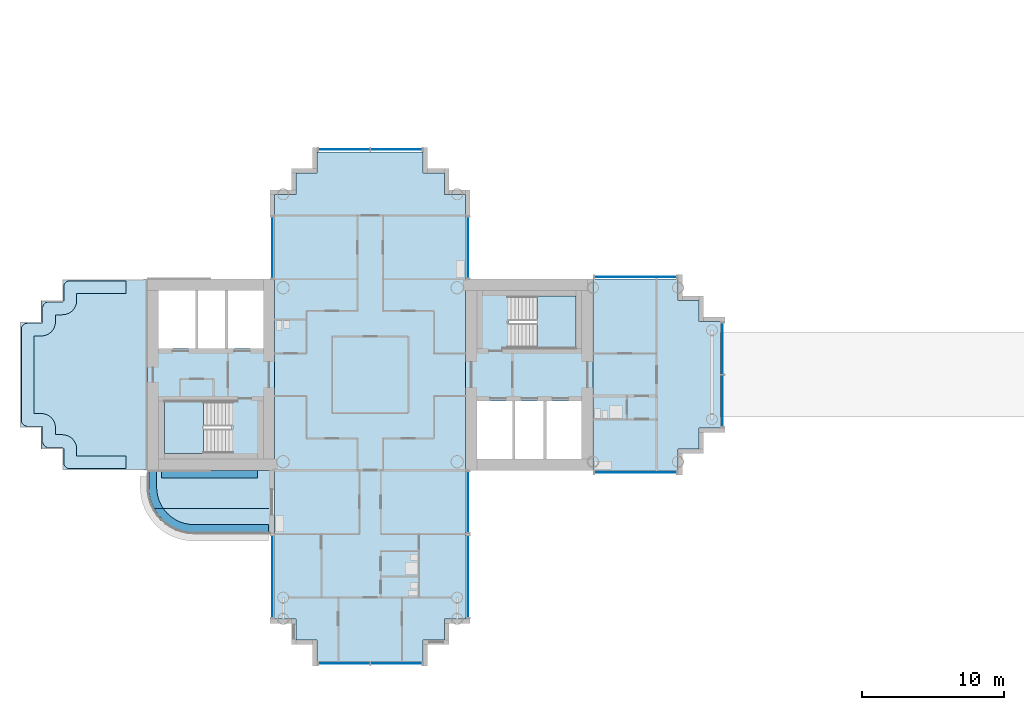
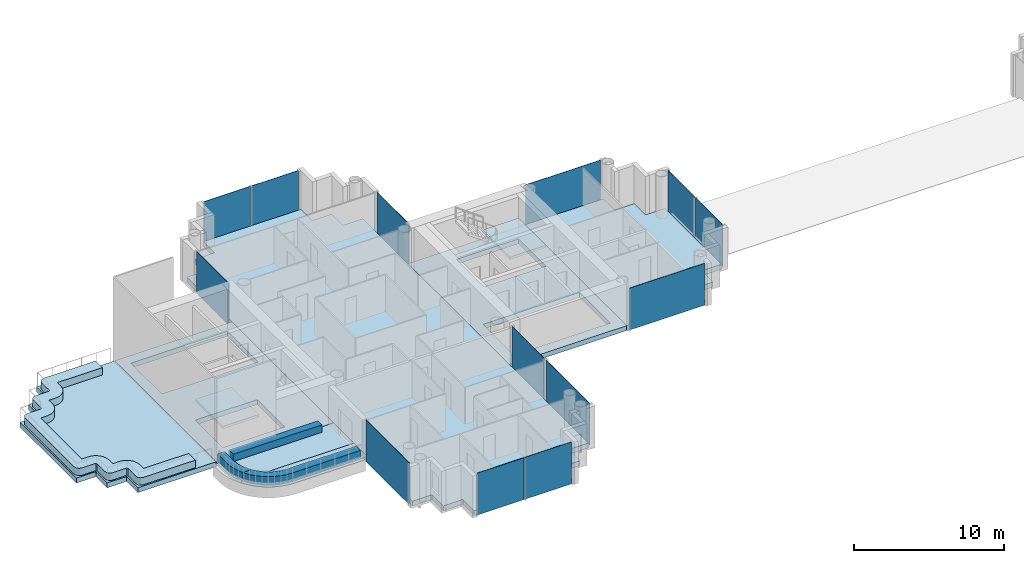
# One storey, part 5 of 19: 13 plates, 13 slabs, 12 elements without a shape of their own.
"""IFC4 building model written with IfcOpenShell, lengths in metres."""

from ifc_helpers import new_model, si_unit, direction, frame, origin, origin_2d, place, context, subcontext, project, spatial, polyline, rectangle, outline, extrude, material, layer, layer_set, type_object, element, aggregate, save


model = new_model("IFC4")

# Units and contexts
model_context = context("Model", 3, precision=1e-05, world=origin(), true_north=direction((0.0, 1.0)))
body_context = subcontext(model_context, "Body", "Model", "MODEL_VIEW")
ifc_project = project(units=[si_unit("LENGTHUNIT", "METRE"), si_unit("AREAUNIT", "SQUARE_METRE"), si_unit("VOLUMEUNIT", "CUBIC_METRE"), si_unit("PLANEANGLEUNIT", "RADIAN"), si_unit("MASSUNIT", "GRAM", prefix="KILO")], contexts=[model_context])

# Site, building, storey
site_placement = place(None, origin())
site = spatial("IfcSite", under=ifc_project, at=site_placement, CompositionType="ELEMENT")
building_placement = place(site_placement, origin())
building = spatial("IfcBuilding", under=site, at=building_placement, Name="Ipe Terrace Towers", CompositionType="ELEMENT")
storey_placement = place(building_placement, frame((0.0, 0.0, 133.699951171875)))
storey = spatial("IfcBuildingStorey", under=building, at=storey_placement, Name="L36", CompositionType="ELEMENT", Elevation=133.699951171875)

# Slabs
ifc_material_1 = material(Name="Concrete C30/37", Category="concrete")
ifc_layer_1 = layer(ifc_material_1, 0.199951171875)
ifc_layer_set_1 = layer_set([ifc_layer_1], Name="BALCONY SLAB 200")
slab_type_1 = type_object("IfcSlabType", Name="BALCONY SLAB 200", PredefinedType="FLOOR", material=ifc_layer_set_1)
slab_1_placement = place(storey_placement, frame((0.0, 0.0, -0.219970703125)))
element("IfcSlab", 1, at=slab_1_placement, inside=storey, type_object=slab_type_1, Name="balcony slab", PredefinedType="FLOOR", context=body_context, shape_type="SweptSolid", body=[
    extrude(outline(polyline([(-51.4990234375, -9.212890625), (-51.382080078125, -9.449951171875), (-42.75, -9.449951171875), (-42.75, -6.75), (-51.75, -6.75), (-51.75, -7.949951171875), (-51.721923828125, -8.381103515625), (-51.637939453125, -8.803955078125), (-51.4990234375, -9.212890625)])), origin(), (0.0, 0.0, 1.0), 0.199951171875),
])
slab_2_placement = place(storey_placement, frame((0.0, 0.0, -0.219970703125)))
element("IfcSlab", 2, at=slab_2_placement, inside=storey, type_object=slab_type_1, Name="balcony slab", PredefinedType="FLOOR", context=body_context, shape_type="SweptSolid", body=[
    extrude(outline(polyline([(-42.75, -11.25), (-42.75, -9.449951171875), (-51.382080078125, -9.449951171875), (-51.30810546875, -9.60009765625), (-51.068115234375, -9.958984375), (-50.782958984375, -10.282958984375), (-50.458984375, -10.568115234375), (-50.10009765625, -10.80810546875), (-49.712890625, -10.9990234375), (-49.303955078125, -11.137939453125), (-48.881103515625, -11.221923828125), (-48.449951171875, -11.25), (-42.75, -11.25)])), origin(), (0.0, 0.0, 1.0), 0.199951171875),
])
ifc_material_2 = material(Name="Concrete C30/37", Category="concrete")
ifc_layer_2 = layer(ifc_material_2, 0.39990234375)
ifc_layer_set_2 = layer_set([ifc_layer_2], Name="CORE FLOOR SLAB 400 C30-37")
slab_type_2 = type_object("IfcSlabType", Name="CORE FLOOR SLAB 400 C30-37", PredefinedType="FLOOR", material=ifc_layer_set_2)
slab_3_placement = place(storey_placement, frame((0.0, 0.0, -0.39990234375)))
element("IfcSlab", 3, at=slab_3_placement, inside=storey, type_object=slab_type_2, Name="Core floor T1-C1", PredefinedType="FLOOR", context=body_context, shape_type="SweptSolid", body=[
    extrude(outline(polyline([(-29.25, -6.75), (-29.25, 6.75), (-20.25, 6.75), (-20.25, -6.75), (-29.25, -6.75)]), holes=[polyline([(-28.449951171875, -5.949951171875), (-21.050048828125, -5.949951171875), (-21.050048828125, -1.85009765625), (-28.449951171875, -1.85009765625), (-28.449951171875, -5.949951171875)]), polyline([(-26.199951171875, 5.550048828125), (-26.199951171875, 1.89990234375), (-21.449951171875, 1.89990234375), (-21.449951171875, 5.550048828125), (-26.199951171875, 5.550048828125)])]), origin(), (0.0, 0.0, 1.0), 0.39990234375),
])
slab_4_placement = place(storey_placement, frame((0.0, 0.0, -0.39990234375)))
element("IfcSlab", 4, at=slab_4_placement, inside=storey, type_object=slab_type_2, Name="Core floor T1-C2", PredefinedType="FLOOR", context=body_context, shape_type="SweptSolid", body=[
    extrude(outline(polyline([(-51.75, -6.75), (-51.75, 6.75), (-42.75, 6.75), (-42.75, -6.75), (-51.75, -6.75)]), holes=[polyline([(-45.800048828125, -5.550048828125), (-45.800048828125, -1.89990234375), (-50.550048828125, -1.89990234375), (-50.550048828125, -5.550048828125), (-45.800048828125, -5.550048828125)]), polyline([(-50.949951171875, 1.85009765625), (-43.550048828125, 1.85009765625), (-43.550048828125, 5.949951171875), (-50.949951171875, 5.949951171875), (-50.949951171875, 1.85009765625)])]), origin(), (0.0, 0.0, 1.0), 0.39990234375),
])

# Stair, slab
ifc_material_3 = material(Name="Concrete C30/37", Category="concrete")
stair_type = type_object("IfcStairType", Name="Protected exit stair", PredefinedType="HALF_TURN_STAIR", material=ifc_material_3)
stair_1_placement = place(storey_placement, origin())
stair_1 = element("IfcStair", 5, at=stair_1_placement, inside=storey, type_object=stair_type, Name="L36 Exit stair T1-C1", PredefinedType="HALF_TURN_STAIR")
ifc_material_4 = material(Name="Concrete C30/37", Category="concrete")
ifc_layer_3 = layer(ifc_material_4, 0.199951171875)
ifc_layer_set_3 = layer_set([ifc_layer_3], Name="Exit stair landing 200")
slab_type_3 = type_object("IfcSlabType", Name="Exit stair landing 200", PredefinedType="LANDING", material=ifc_layer_set_3)
slab_5_placement = place(storey_placement, frame((0.0, 0.0, 1.5)))
slab_5 = element("IfcSlab", 6, at=slab_5_placement, type_object=slab_type_3, Name="T1-ST1 landing 1", PredefinedType="LANDING", context=body_context, shape_type="SweptSolid", body=[
    extrude(outline(polyline([(-24.219970703125, 1.89990234375), (-21.449951171875, 1.89990234375), (-21.449951171875, 5.550048828125), (-24.219970703125, 5.550048828125), (-24.219970703125, 1.89990234375)])), origin(), (0.0, 0.0, 1.0), 0.199951171875),
])
aggregate(stair_1, [slab_5])

stair_2_placement = place(storey_placement, origin())
stair_2 = element("IfcStair", 7, at=stair_2_placement, inside=storey, type_object=stair_type, Name="L36 Exit stair T1-C2", PredefinedType="HALF_TURN_STAIR")
slab_6_placement = place(storey_placement, frame((0.0, 0.0, 1.5)))
slab_6 = element("IfcSlab", 8, at=slab_6_placement, type_object=slab_type_3, Name="T1-ST2 landing 1", PredefinedType="LANDING", context=body_context, shape_type="SweptSolid", body=[
    extrude(outline(polyline([(-47.780029296875, -1.89990234375), (-50.550048828125, -1.89990234375), (-50.550048828125, -5.550048828125), (-47.780029296875, -5.550048828125), (-47.780029296875, -1.89990234375)])), origin(), (0.0, 0.0, 1.0), 0.199951171875),
])
aggregate(stair_2, [slab_6])

# Slabs
ifc_material_5 = material(Name="Concrete C40/50", Category="concrete")
ifc_layer_4 = layer(ifc_material_5, 0.39990234375)
ifc_layer_set_4 = layer_set([ifc_layer_4], Name="FLAT PLATE SLAB 400 C40-50")
slab_type_4 = type_object("IfcSlabType", Name="FLAT PLATE SLAB 400 C40-50", PredefinedType="FLOOR", material=ifc_layer_set_4)
slab_7_placement = place(storey_placement, frame((0.0, 0.0, -0.39990234375)))
element("IfcSlab", 9, at=slab_7_placement, inside=storey, type_object=slab_type_4, Name="Slab T1-FS-Z31", PredefinedType="FLOOR", context=body_context, shape_type="SweptSolid", body=[
    extrude(outline(polyline([(-30.75, -17.25), (-30.75, -18.75), (-32.25, -18.75), (-32.25, -20.25), (-39.75, -20.25), (-39.75, -18.75), (-41.25, -18.75), (-41.25, -17.25), (-42.75, -17.25), (-42.75, -6.75), (-42.75, 6.75), (-42.75, 12.75), (-41.25, 12.75), (-41.25, 14.25), (-39.75, 14.25), (-39.75, 15.75), (-32.25, 15.75), (-32.25, 14.25), (-30.75, 14.25), (-30.75, 12.75), (-29.25, 12.75), (-29.25, 6.75), (-29.25, -6.75), (-29.25, -17.25), (-30.75, -17.25)])), origin(), (0.0, 0.0, 1.0), 0.39990234375),
])
slab_8_placement = place(storey_placement, frame((0.0, 0.0, -0.39990234375)))
element("IfcSlab", 10, at=slab_8_placement, inside=storey, type_object=slab_type_4, Name="Slab T1-FS-Z32", PredefinedType="FLOOR", context=body_context, shape_type="SweptSolid", body=[
    extrude(outline(polyline([(-14.25, 5.25), (-12.75, 5.25), (-12.75, 3.75), (-11.25, 3.75), (-11.25, -3.75), (-12.75, -3.75), (-12.75, -5.25), (-14.25, -5.25), (-14.25, -6.75), (-20.25, -6.75), (-20.25, 6.75), (-14.25, 6.75), (-14.25, 5.25)])), origin(), (0.0, 0.0, 1.0), 0.39990234375),
])
ifc_material_6 = material(Name="Concrete C30/37", Category="concrete")
ifc_layer_5 = layer(ifc_material_6, 0.60009765625)
ifc_layer_set_5 = layer_set([ifc_layer_5], Name="PLANTER TROUGH 550 x 600")
slab_type_5 = type_object("IfcSlabType", Name="PLANTER TROUGH 550 x 600", PredefinedType="USERDEFINED", material=ifc_layer_set_5)
slab_9_placement = place(storey_placement, frame((0.0, 0.0, -0.02001953125)))
element("IfcSlab", 11, at=slab_9_placement, inside=storey, type_object=slab_type_5, Name="planter", ObjectType="PLANTER", PredefinedType="USERDEFINED", context=body_context, shape_type="SweptSolid", body=[
    extrude(outline(polyline([(-50.9990234375, -8.633056640625), (-51.06591796875, -8.2939453125), (-51.090087890625, -7.927978515625), (-51.090087890625, -6.75), (-51.639892578125, -6.75), (-51.639892578125, -7.93701171875), (-51.638916015625, -7.955078125), (-51.614013671875, -8.347900390625), (-51.60888671875, -8.384033203125), (-51.534912109375, -8.758056640625), (-51.52490234375, -8.79296875), (-51.403076171875, -9.154052734375), (-51.388916015625, -9.18701171875), (-51.259033203125, -9.449951171875), (-50.614013671875, -9.449951171875), (-50.735107421875, -9.26904296875), (-50.887939453125, -8.9599609375), (-50.9990234375, -8.633056640625)])), origin(), (0.0, 0.0, 1.0), 0.60009765625),
])
slab_10_placement = place(storey_placement, frame((0.0, 0.0, -0.02001953125)))
element("IfcSlab", 12, at=slab_10_placement, inside=storey, type_object=slab_type_5, Name="planter", ObjectType="PLANTER", PredefinedType="USERDEFINED", context=body_context, shape_type="SweptSolid", body=[
    extrude(outline(polyline([(-50.54296875, -9.555908203125), (-50.614013671875, -9.449951171875), (-51.259033203125, -9.449951171875), (-51.219970703125, -9.529052734375), (-51.201904296875, -9.56005859375), (-50.990966796875, -9.876953125), (-50.968994140625, -9.905029296875), (-50.717041015625, -10.19189453125), (-50.69189453125, -10.217041015625), (-50.405029296875, -10.468994140625), (-50.376953125, -10.490966796875), (-50.06005859375, -10.701904296875), (-50.029052734375, -10.719970703125), (-49.68701171875, -10.888916015625), (-49.654052734375, -10.903076171875), (-49.29296875, -11.02490234375), (-49.258056640625, -11.034912109375), (-48.884033203125, -11.10888671875), (-48.847900390625, -11.114013671875), (-48.455078125, -11.138916015625), (-48.43701171875, -11.139892578125), (-43.199951171875, -11.139892578125), (-43.199951171875, -10.590087890625), (-48.427978515625, -10.590087890625), (-48.7939453125, -10.56591796875), (-49.133056640625, -10.4990234375), (-49.4599609375, -10.387939453125), (-49.76904296875, -10.235107421875), (-50.055908203125, -10.04296875), (-50.31591796875, -9.81591796875), (-50.54296875, -9.555908203125)])), origin(), (0.0, 0.0, 1.0), 0.60009765625),
])
slab_11_placement = place(storey_placement, frame((0.0, 0.0, -0.02001953125)))
element("IfcSlab", 13, at=slab_11_placement, inside=storey, type_object=slab_type_5, Name="planter", ObjectType="PLANTER", PredefinedType="USERDEFINED", context=body_context, shape_type="SweptSolid", body=[
    extrude(outline(polyline([(-43.949951171875, -6.75), (-50.75, -6.75), (-50.75, -7.300048828125), (-43.949951171875, -7.300048828125), (-43.949951171875, -6.75)])), origin(), (0.0, 0.0, 1.0), 0.60009765625),
])
ifc_material_7 = material(Name="Concrete C40/50", Category="concrete")
ifc_layer_6 = layer(ifc_material_7, 0.39990234375)
ifc_layer_set_6 = layer_set([ifc_layer_6], Name="TERRACE DECK SLAB 400 C40-50")
slab_type_6 = type_object("IfcSlabType", Name="TERRACE DECK SLAB 400 C40-50", PredefinedType="FLOOR", material=ifc_layer_set_6)
slab_12_placement = place(storey_placement, frame((0.0, 0.0, -0.419921875)))
element("IfcSlab", 14, at=slab_12_placement, inside=storey, type_object=slab_type_6, Name="Slab T1-TD-L36-1", PredefinedType="FLOOR", context=body_context, shape_type="SweptSolid", body=[
    extrude(outline(polyline([(-60.7451171875, -3.7451171875), (-60.7451171875, 3.7451171875), (-59.2451171875, 3.7451171875), (-59.2451171875, 5.2451171875), (-57.7451171875, 5.2451171875), (-57.7451171875, 6.7451171875), (-51.7548828125, 6.7451171875), (-51.7548828125, -6.7451171875), (-57.7451171875, -6.7451171875), (-57.7451171875, -5.2451171875), (-59.2451171875, -5.2451171875), (-59.2451171875, -3.7451171875), (-60.7451171875, -3.7451171875)])), origin(), (0.0, 0.0, 1.0), 0.39990234375),
])
ifc_material_8 = material(Name="Concrete C30/37", Category="concrete")
ifc_layer_7 = layer(ifc_material_8, 0.60009765625)
ifc_layer_set_7 = layer_set([ifc_layer_7], Name="TERRACE PLANTING BED 900 x 600")
slab_type_7 = type_object("IfcSlabType", Name="TERRACE PLANTING BED 900 x 600", PredefinedType="USERDEFINED", material=ifc_layer_set_7)
slab_13_placement = place(storey_placement, frame((0.0, 0.0, -0.02001953125)))
element("IfcSlab", 15, at=slab_13_placement, inside=storey, type_object=slab_type_7, Name="planter", ObjectType="PLANTER", PredefinedType="USERDEFINED", context=body_context, shape_type="SweptSolid", body=[
    extrude(outline(polyline([(-59.72998046875, -2.739990234375), (-59.739990234375, -2.739990234375), (-59.739990234375, -2.72998046875), (-59.739990234375, 2.72998046875), (-59.739990234375, 2.739990234375), (-59.72998046875, 2.739990234375), (-59.2490234375, 2.739990234375), (-59.22900390625, 2.739990234375), (-59.1708984375, 2.742919921875), (-59.132080078125, 2.7470703125), (-59.072021484375, 2.756103515625), (-59.033935546875, 2.763916015625), (-58.97607421875, 2.778076171875), (-58.93798828125, 2.7900390625), (-58.882080078125, 2.81005859375), (-58.845947265625, 2.824951171875), (-58.791015625, 2.85009765625), (-58.757080078125, 2.868896484375), (-58.705078125, 2.89990234375), (-58.673095703125, 2.9208984375), (-58.625, 2.95703125), (-58.593994140625, 2.98193359375), (-58.550048828125, 3.02197265625), (-58.52197265625, 3.050048828125), (-58.48193359375, 3.093994140625), (-58.45703125, 3.125), (-58.4208984375, 3.173095703125), (-58.39990234375, 3.205078125), (-58.368896484375, 3.257080078125), (-58.35009765625, 3.291015625), (-58.324951171875, 3.345947265625), (-58.31005859375, 3.382080078125), (-58.2900390625, 3.43798828125), (-58.278076171875, 3.47607421875), (-58.263916015625, 3.533935546875), (-58.256103515625, 3.572021484375), (-58.2470703125, 3.632080078125), (-58.242919921875, 3.6708984375), (-58.239990234375, 3.72900390625), (-58.239990234375, 3.7490234375), (-58.239990234375, 4.22998046875), (-58.239990234375, 4.239990234375), (-58.22998046875, 4.239990234375), (-57.7490234375, 4.239990234375), (-57.72900390625, 4.239990234375), (-57.6708984375, 4.242919921875), (-57.632080078125, 4.2470703125), (-57.572021484375, 4.256103515625), (-57.533935546875, 4.263916015625), (-57.47607421875, 4.278076171875), (-57.43798828125, 4.2900390625), (-57.382080078125, 4.31005859375), (-57.345947265625, 4.324951171875), (-57.291015625, 4.35009765625), (-57.257080078125, 4.368896484375), (-57.205078125, 4.39990234375), (-57.173095703125, 4.4208984375), (-57.125, 4.45703125), (-57.093994140625, 4.48193359375), (-57.050048828125, 4.52197265625), (-57.02197265625, 4.550048828125), (-56.98193359375, 4.593994140625), (-56.95703125, 4.625), (-56.9208984375, 4.673095703125), (-56.89990234375, 4.705078125), (-56.868896484375, 4.757080078125), (-56.85009765625, 4.791015625), (-56.824951171875, 4.845947265625), (-56.81005859375, 4.882080078125), (-56.7900390625, 4.93798828125), (-56.778076171875, 4.97607421875), (-56.763916015625, 5.033935546875), (-56.756103515625, 5.072021484375), (-56.7470703125, 5.132080078125), (-56.742919921875, 5.1708984375), (-56.739990234375, 5.22900390625), (-56.739990234375, 5.2490234375), (-56.739990234375, 5.72998046875), (-56.739990234375, 5.739990234375), (-56.72998046875, 5.739990234375), (-53.27001953125, 5.739990234375), (-53.27001953125, 6.639892578125), (-57.239990234375, 6.639892578125), (-57.279052734375, 6.637939453125), (-57.318115234375, 6.632080078125), (-57.35595703125, 6.623046875), (-57.39306640625, 6.610107421875), (-57.428955078125, 6.593017578125), (-57.4619140625, 6.572998046875), (-57.493896484375, 6.549072265625), (-57.52294921875, 6.52294921875), (-57.549072265625, 6.493896484375), (-57.572998046875, 6.4619140625), (-57.593017578125, 6.428955078125), (-57.610107421875, 6.39306640625), (-57.623046875, 6.35595703125), (-57.632080078125, 6.318115234375), (-57.637939453125, 6.279052734375), (-57.639892578125, 6.239990234375), (-57.639892578125, 5.26611328125), (-57.639892578125, 5.256103515625), (-57.64111328125, 5.2490234375), (-57.64208984375, 5.23388671875), (-57.64404296875, 5.222900390625), (-57.64697265625, 5.212890625), (-57.65087890625, 5.202880859375), (-57.656005859375, 5.194091796875), (-57.662109375, 5.18505859375), (-57.6689453125, 5.177001953125), (-57.677001953125, 5.1689453125), (-57.68505859375, 5.162109375), (-57.694091796875, 5.156005859375), (-57.702880859375, 5.15087890625), (-57.712890625, 5.14697265625), (-57.722900390625, 5.14404296875), (-57.73388671875, 5.14208984375), (-57.7490234375, 5.14111328125), (-57.756103515625, 5.139892578125), (-57.76611328125, 5.139892578125), (-58.739990234375, 5.139892578125), (-58.779052734375, 5.137939453125), (-58.818115234375, 5.132080078125), (-58.85595703125, 5.123046875), (-58.89306640625, 5.110107421875), (-58.928955078125, 5.093017578125), (-58.9619140625, 5.072998046875), (-58.993896484375, 5.049072265625), (-59.02294921875, 5.02294921875), (-59.049072265625, 4.993896484375), (-59.072998046875, 4.9619140625), (-59.093017578125, 4.928955078125), (-59.110107421875, 4.89306640625), (-59.123046875, 4.85595703125), (-59.132080078125, 4.818115234375), (-59.137939453125, 4.779052734375), (-59.139892578125, 4.739990234375), (-59.139892578125, 3.76611328125), (-59.139892578125, 3.756103515625), (-59.14111328125, 3.7490234375), (-59.14208984375, 3.73388671875), (-59.14404296875, 3.722900390625), (-59.14697265625, 3.712890625), (-59.15087890625, 3.702880859375), (-59.156005859375, 3.694091796875), (-59.162109375, 3.68505859375), (-59.1689453125, 3.677001953125), (-59.177001953125, 3.6689453125), (-59.18505859375, 3.662109375), (-59.194091796875, 3.656005859375), (-59.202880859375, 3.65087890625), (-59.212890625, 3.64697265625), (-59.222900390625, 3.64404296875), (-59.23388671875, 3.64208984375), (-59.2490234375, 3.64111328125), (-59.256103515625, 3.639892578125), (-59.26611328125, 3.639892578125), (-60.239990234375, 3.639892578125), (-60.279052734375, 3.637939453125), (-60.318115234375, 3.632080078125), (-60.35595703125, 3.623046875), (-60.39306640625, 3.610107421875), (-60.428955078125, 3.593017578125), (-60.4619140625, 3.572998046875), (-60.493896484375, 3.549072265625), (-60.52294921875, 3.52294921875), (-60.549072265625, 3.493896484375), (-60.572998046875, 3.4619140625), (-60.593017578125, 3.428955078125), (-60.610107421875, 3.39306640625), (-60.623046875, 3.35595703125), (-60.632080078125, 3.318115234375), (-60.637939453125, 3.279052734375), (-60.639892578125, 3.239990234375), (-60.639892578125, -3.239990234375), (-60.637939453125, -3.279052734375), (-60.632080078125, -3.318115234375), (-60.623046875, -3.35595703125), (-60.610107421875, -3.39306640625), (-60.593017578125, -3.428955078125), (-60.572998046875, -3.4619140625), (-60.549072265625, -3.493896484375), (-60.52294921875, -3.52294921875), (-60.493896484375, -3.549072265625), (-60.4619140625, -3.572998046875), (-60.428955078125, -3.593017578125), (-60.39306640625, -3.610107421875), (-60.35595703125, -3.623046875), (-60.318115234375, -3.632080078125), (-60.279052734375, -3.637939453125), (-60.239990234375, -3.639892578125), (-59.26611328125, -3.639892578125), (-59.256103515625, -3.639892578125), (-59.2490234375, -3.64111328125), (-59.23388671875, -3.64208984375), (-59.222900390625, -3.64404296875), (-59.212890625, -3.64697265625), (-59.202880859375, -3.65087890625), (-59.194091796875, -3.656005859375), (-59.18505859375, -3.662109375), (-59.177001953125, -3.6689453125), (-59.1689453125, -3.677001953125), (-59.162109375, -3.68505859375), (-59.156005859375, -3.694091796875), (-59.15087890625, -3.702880859375), (-59.14697265625, -3.712890625), (-59.14404296875, -3.722900390625), (-59.14208984375, -3.73388671875), (-59.14111328125, -3.7490234375), (-59.139892578125, -3.756103515625), (-59.139892578125, -3.76611328125), (-59.139892578125, -4.739990234375), (-59.137939453125, -4.779052734375), (-59.132080078125, -4.818115234375), (-59.123046875, -4.85595703125), (-59.110107421875, -4.89306640625), (-59.093017578125, -4.928955078125), (-59.072998046875, -4.9619140625), (-59.049072265625, -4.993896484375), (-59.02294921875, -5.02294921875), (-58.993896484375, -5.049072265625), (-58.9619140625, -5.072998046875), (-58.928955078125, -5.093017578125), (-58.89306640625, -5.110107421875), (-58.85595703125, -5.123046875), (-58.818115234375, -5.132080078125), (-58.779052734375, -5.137939453125), (-58.739990234375, -5.139892578125), (-57.76611328125, -5.139892578125), (-57.756103515625, -5.139892578125), (-57.7490234375, -5.14111328125), (-57.73388671875, -5.14208984375), (-57.722900390625, -5.14404296875), (-57.712890625, -5.14697265625), (-57.702880859375, -5.15087890625), (-57.694091796875, -5.156005859375), (-57.68505859375, -5.162109375), (-57.677001953125, -5.1689453125), (-57.6689453125, -5.177001953125), (-57.662109375, -5.18505859375), (-57.656005859375, -5.194091796875), (-57.65087890625, -5.202880859375), (-57.64697265625, -5.212890625), (-57.64404296875, -5.222900390625), (-57.64208984375, -5.23388671875), (-57.64111328125, -5.2490234375), (-57.639892578125, -5.256103515625), (-57.639892578125, -5.26611328125), (-57.639892578125, -6.239990234375), (-57.637939453125, -6.279052734375), (-57.632080078125, -6.318115234375), (-57.623046875, -6.35595703125), (-57.610107421875, -6.39306640625), (-57.593017578125, -6.428955078125), (-57.572998046875, -6.4619140625), (-57.549072265625, -6.493896484375), (-57.52294921875, -6.52294921875), (-57.493896484375, -6.549072265625), (-57.4619140625, -6.572998046875), (-57.428955078125, -6.593017578125), (-57.39306640625, -6.610107421875), (-57.35595703125, -6.623046875), (-57.318115234375, -6.632080078125), (-57.279052734375, -6.637939453125), (-57.239990234375, -6.639892578125), (-53.27001953125, -6.639892578125), (-53.27001953125, -5.739990234375), (-56.72998046875, -5.739990234375), (-56.739990234375, -5.739990234375), (-56.739990234375, -5.72998046875), (-56.739990234375, -5.2490234375), (-56.739990234375, -5.22900390625), (-56.742919921875, -5.1708984375), (-56.7470703125, -5.132080078125), (-56.756103515625, -5.072021484375), (-56.763916015625, -5.033935546875), (-56.778076171875, -4.97607421875), (-56.7900390625, -4.93798828125), (-56.81005859375, -4.882080078125), (-56.824951171875, -4.845947265625), (-56.85009765625, -4.791015625), (-56.868896484375, -4.757080078125), (-56.89990234375, -4.705078125), (-56.9208984375, -4.673095703125), (-56.95703125, -4.625), (-56.98193359375, -4.593994140625), (-57.02197265625, -4.550048828125), (-57.050048828125, -4.52197265625), (-57.093994140625, -4.48193359375), (-57.125, -4.45703125), (-57.173095703125, -4.4208984375), (-57.205078125, -4.39990234375), (-57.257080078125, -4.368896484375), (-57.291015625, -4.35009765625), (-57.345947265625, -4.324951171875), (-57.382080078125, -4.31005859375), (-57.43798828125, -4.2900390625), (-57.47607421875, -4.278076171875), (-57.533935546875, -4.263916015625), (-57.572021484375, -4.256103515625), (-57.632080078125, -4.2470703125), (-57.6708984375, -4.242919921875), (-57.72900390625, -4.239990234375), (-57.7490234375, -4.239990234375), (-58.22998046875, -4.239990234375), (-58.239990234375, -4.239990234375), (-58.239990234375, -4.22998046875), (-58.239990234375, -3.7490234375), (-58.239990234375, -3.72900390625), (-58.242919921875, -3.6708984375), (-58.2470703125, -3.632080078125), (-58.256103515625, -3.572021484375), (-58.263916015625, -3.533935546875), (-58.278076171875, -3.47607421875), (-58.2900390625, -3.43798828125), (-58.31005859375, -3.382080078125), (-58.324951171875, -3.345947265625), (-58.35009765625, -3.291015625), (-58.368896484375, -3.257080078125), (-58.39990234375, -3.205078125), (-58.4208984375, -3.173095703125), (-58.45703125, -3.125), (-58.48193359375, -3.093994140625), (-58.52197265625, -3.050048828125), (-58.550048828125, -3.02197265625), (-58.593994140625, -2.98193359375), (-58.625, -2.95703125), (-58.673095703125, -2.9208984375), (-58.705078125, -2.89990234375), (-58.757080078125, -2.868896484375), (-58.791015625, -2.85009765625), (-58.845947265625, -2.824951171875), (-58.882080078125, -2.81005859375), (-58.93798828125, -2.7900390625), (-58.97607421875, -2.778076171875), (-59.033935546875, -2.763916015625), (-59.072021484375, -2.756103515625), (-59.132080078125, -2.7470703125), (-59.1708984375, -2.742919921875), (-59.22900390625, -2.739990234375), (-59.2490234375, -2.739990234375), (-59.72998046875, -2.739990234375)])), origin(), (0.0, 0.0, 1.0), 0.60009765625),
])

# Curtain wall, plate
ifc_material_9 = material(Name="Aluminium alloy 6063-T6", Category="aluminium")
ifc_layer_8 = layer(ifc_material_9, 0.320068359375)
ifc_layer_set_8 = layer_set([ifc_layer_8], Name="TOWER UNITISED CURTAIN WALL")
curtain_wall_type = type_object("IfcCurtainWallType", Name="TOWER UNITISED CURTAIN WALL", PredefinedType="NOTDEFINED", material=ifc_layer_set_8)
curtain_wall_1_placement = place(storey_placement, origin())
curtain_wall_1 = element("IfcCurtainWall", 16, at=curtain_wall_1_placement, inside=storey, type_object=curtain_wall_type, Name="T1-CW-L36-03a curtain wall", PredefinedType="NOTDEFINED")
ifc_material_10 = material(Name="Glass, clear laminated", Category="glass")
ifc_layer_9 = layer(ifc_material_10, 0.031982421875)
ifc_layer_set_9 = layer_set([ifc_layer_9], Name="TOWER UNITISED GLASS PANEL 32")
plate_type = type_object("IfcPlateType", Name="TOWER UNITISED GLASS PANEL 32", PredefinedType="CURTAIN_PANEL", material=ifc_layer_set_9)
plate_1_placement = place(storey_placement, frame((-42.909912109375, -14.25, -0.2998046875), z_axis=(0.0, 0.0, 1.0), x_axis=(0.0, -1.0, 0.0)))
plate_1 = element("IfcPlate", 17, at=plate_1_placement, type_object=plate_type, Name="T1-CW-L36-03a panel 1", PredefinedType="CURTAIN_PANEL", context=body_context, shape_type="SweptSolid", body=[
    extrude(rectangle(XDim=5.760009765625, YDim=0.031982421875, at=origin_2d()), origin(), (0.0, 0.0, 1.0), 3.39990234375),
])
aggregate(curtain_wall_1, [plate_1])

# Curtain wall, plates
curtain_wall_2_placement = place(storey_placement, origin())
curtain_wall_2 = element("IfcCurtainWall", 18, at=curtain_wall_2_placement, inside=storey, type_object=curtain_wall_type, Name="T1-CW-L36-08a curtain wall", PredefinedType="NOTDEFINED")
plate_2_placement = place(storey_placement, frame((-37.831298828125, -20.409912109375, -0.2998046875), z_axis=(0.0, 0.0, 1.0), x_axis=(1.0, 0.0, 0.0)))
plate_2 = element("IfcPlate", 19, at=plate_2_placement, type_object=plate_type, Name="T1-CW-L36-08a panel 1", PredefinedType="CURTAIN_PANEL", context=body_context, shape_type="SweptSolid", body=[
    extrude(rectangle(XDim=3.597412109375, YDim=0.031982421875, at=origin_2d()), origin(), (0.0, 0.0, 1.0), 3.39990234375),
])
plate_3_placement = place(storey_placement, frame((-34.168701171875, -20.409912109375, -0.2998046875), z_axis=(0.0, 0.0, 1.0), x_axis=(1.0, 0.0, 0.0)))
plate_3 = element("IfcPlate", 20, at=plate_3_placement, type_object=plate_type, Name="T1-CW-L36-08a panel 2", PredefinedType="CURTAIN_PANEL", context=body_context, shape_type="SweptSolid", body=[
    extrude(rectangle(XDim=3.597412109375, YDim=0.031982421875, at=origin_2d()), origin(), (0.0, 0.0, 1.0), 3.39990234375),
])
aggregate(curtain_wall_2, [plate_2, plate_3])

# Curtain wall, plate
curtain_wall_3_placement = place(storey_placement, origin())
curtain_wall_3 = element("IfcCurtainWall", 21, at=curtain_wall_3_placement, inside=storey, type_object=curtain_wall_type, Name="T1-CW-L36-13a curtain wall", PredefinedType="NOTDEFINED")
plate_4_placement = place(storey_placement, frame((-29.090087890625, -14.25, -0.2998046875), z_axis=(0.0, 0.0, 1.0), x_axis=(0.0, 1.0, 0.0)))
plate_4 = element("IfcPlate", 22, at=plate_4_placement, type_object=plate_type, Name="T1-CW-L36-13a panel 1", PredefinedType="CURTAIN_PANEL", context=body_context, shape_type="SweptSolid", body=[
    extrude(rectangle(XDim=5.760009765625, YDim=0.031982421875, at=origin_2d()), origin(), (0.0, 0.0, 1.0), 3.39990234375),
])
aggregate(curtain_wall_3, [plate_4])

curtain_wall_4_placement = place(storey_placement, origin())
curtain_wall_4 = element("IfcCurtainWall", 23, at=curtain_wall_4_placement, inside=storey, type_object=curtain_wall_type, Name="T1-CW-L36-14a curtain wall", PredefinedType="NOTDEFINED")
plate_5_placement = place(storey_placement, frame((-29.090087890625, -9.0, -0.2998046875), z_axis=(0.0, 0.0, 1.0), x_axis=(0.0, 1.0, 0.0)))
plate_5 = element("IfcPlate", 24, at=plate_5_placement, type_object=plate_type, Name="T1-CW-L36-14a panel 1", PredefinedType="CURTAIN_PANEL", context=body_context, shape_type="SweptSolid", body=[
    extrude(rectangle(XDim=4.260009765625, YDim=0.031982421875, at=origin_2d()), origin(), (0.0, 0.0, 1.0), 3.39990234375),
])
aggregate(curtain_wall_4, [plate_5])

curtain_wall_5_placement = place(storey_placement, origin())
curtain_wall_5 = element("IfcCurtainWall", 25, at=curtain_wall_5_placement, inside=storey, type_object=curtain_wall_type, Name="T1-CW-L36-16b curtain wall", PredefinedType="NOTDEFINED")
plate_6_placement = place(storey_placement, frame((-17.24951171875, -6.909912109375, -0.2998046875), z_axis=(0.0, 0.0, 1.0), x_axis=(1.0, 0.0, 0.0)))
plate_6 = element("IfcPlate", 26, at=plate_6_placement, type_object=plate_type, Name="T1-CW-L36-16b panel 1", PredefinedType="CURTAIN_PANEL", context=body_context, shape_type="SweptSolid", body=[
    extrude(rectangle(XDim=5.759033203125, YDim=0.031982421875, at=origin_2d()), origin(), (0.0, 0.0, 1.0), 3.39990234375),
])
aggregate(curtain_wall_5, [plate_6])

# Curtain wall, plates
curtain_wall_6_placement = place(storey_placement, origin())
curtain_wall_6 = element("IfcCurtainWall", 27, at=curtain_wall_6_placement, inside=storey, type_object=curtain_wall_type, Name="T1-CW-L36-21a curtain wall", PredefinedType="NOTDEFINED")
plate_7_placement = place(storey_placement, frame((-11.090087890625, -1.831298828125, -0.2998046875), z_axis=(0.0, 0.0, 1.0), x_axis=(0.0, 1.0, 0.0)))
plate_7 = element("IfcPlate", 28, at=plate_7_placement, type_object=plate_type, Name="T1-CW-L36-21a panel 1", PredefinedType="CURTAIN_PANEL", context=body_context, shape_type="SweptSolid", body=[
    extrude(rectangle(XDim=3.597412109375, YDim=0.031982421875, at=origin_2d()), origin(), (0.0, 0.0, 1.0), 3.39990234375),
])
plate_8_placement = place(storey_placement, frame((-11.090087890625, 1.831298828125, -0.2998046875), z_axis=(0.0, 0.0, 1.0), x_axis=(0.0, 1.0, 0.0)))
plate_8 = element("IfcPlate", 29, at=plate_8_placement, type_object=plate_type, Name="T1-CW-L36-21a panel 2", PredefinedType="CURTAIN_PANEL", context=body_context, shape_type="SweptSolid", body=[
    extrude(rectangle(XDim=3.597412109375, YDim=0.031982421875, at=origin_2d()), origin(), (0.0, 0.0, 1.0), 3.39990234375),
])
aggregate(curtain_wall_6, [plate_7, plate_8])

# Curtain wall, plate
curtain_wall_7_placement = place(storey_placement, origin())
curtain_wall_7 = element("IfcCurtainWall", 30, at=curtain_wall_7_placement, inside=storey, type_object=curtain_wall_type, Name="T1-CW-L36-26a curtain wall", PredefinedType="NOTDEFINED")
plate_9_placement = place(storey_placement, frame((-17.24951171875, 6.909912109375, -0.2998046875), z_axis=(0.0, 0.0, 1.0), x_axis=(-1.0, 0.0, 0.0)))
plate_9 = element("IfcPlate", 31, at=plate_9_placement, type_object=plate_type, Name="T1-CW-L36-26a panel 1", PredefinedType="CURTAIN_PANEL", context=body_context, shape_type="SweptSolid", body=[
    extrude(rectangle(XDim=5.759033203125, YDim=0.031982421875, at=origin_2d()), origin(), (0.0, 0.0, 1.0), 3.39990234375),
])
aggregate(curtain_wall_7, [plate_9])

curtain_wall_8_placement = place(storey_placement, origin())
curtain_wall_8 = element("IfcCurtainWall", 32, at=curtain_wall_8_placement, inside=storey, type_object=curtain_wall_type, Name="T1-CW-L36-28a curtain wall", PredefinedType="NOTDEFINED")
plate_10_placement = place(storey_placement, frame((-29.090087890625, 9.0, -0.2998046875), z_axis=(0.0, 0.0, 1.0), x_axis=(0.0, 1.0, 0.0)))
plate_10 = element("IfcPlate", 33, at=plate_10_placement, type_object=plate_type, Name="T1-CW-L36-28a panel 1", PredefinedType="CURTAIN_PANEL", context=body_context, shape_type="SweptSolid", body=[
    extrude(rectangle(XDim=4.260009765625, YDim=0.031982421875, at=origin_2d()), origin(), (0.0, 0.0, 1.0), 3.39990234375),
])
aggregate(curtain_wall_8, [plate_10])

# Curtain wall, plates
curtain_wall_9_placement = place(storey_placement, origin())
curtain_wall_9 = element("IfcCurtainWall", 34, at=curtain_wall_9_placement, inside=storey, type_object=curtain_wall_type, Name="T1-CW-L36-34a curtain wall", PredefinedType="NOTDEFINED")
plate_11_placement = place(storey_placement, frame((-34.168701171875, 15.909912109375, -0.2998046875), z_axis=(0.0, 0.0, 1.0), x_axis=(-1.0, 0.0, 0.0)))
plate_11 = element("IfcPlate", 35, at=plate_11_placement, type_object=plate_type, Name="T1-CW-L36-34a panel 1", PredefinedType="CURTAIN_PANEL", context=body_context, shape_type="SweptSolid", body=[
    extrude(rectangle(XDim=3.597412109375, YDim=0.031982421875, at=origin_2d()), origin(), (0.0, 0.0, 1.0), 3.39990234375),
])
plate_12_placement = place(storey_placement, frame((-37.831298828125, 15.909912109375, -0.2998046875), z_axis=(0.0, 0.0, 1.0), x_axis=(-1.0, 0.0, 0.0)))
plate_12 = element("IfcPlate", 36, at=plate_12_placement, type_object=plate_type, Name="T1-CW-L36-34a panel 2", PredefinedType="CURTAIN_PANEL", context=body_context, shape_type="SweptSolid", body=[
    extrude(rectangle(XDim=3.597412109375, YDim=0.031982421875, at=origin_2d()), origin(), (0.0, 0.0, 1.0), 3.39990234375),
])
aggregate(curtain_wall_9, [plate_11, plate_12])

# Curtain wall, plate
curtain_wall_10_placement = place(storey_placement, origin())
curtain_wall_10 = element("IfcCurtainWall", 37, at=curtain_wall_10_placement, inside=storey, type_object=curtain_wall_type, Name="T1-CW-L36-40a curtain wall", PredefinedType="NOTDEFINED")
plate_13_placement = place(storey_placement, frame((-42.909912109375, 9.0, -0.2998046875), z_axis=(0.0, 0.0, 1.0), x_axis=(0.0, -1.0, 0.0)))
plate_13 = element("IfcPlate", 38, at=plate_13_placement, type_object=plate_type, Name="T1-CW-L36-40a panel 1", PredefinedType="CURTAIN_PANEL", context=body_context, shape_type="SweptSolid", body=[
    extrude(rectangle(XDim=4.260009765625, YDim=0.031982421875, at=origin_2d()), origin(), (0.0, 0.0, 1.0), 3.39990234375),
])
aggregate(curtain_wall_10, [plate_13])

save(model, "model.ifc")
